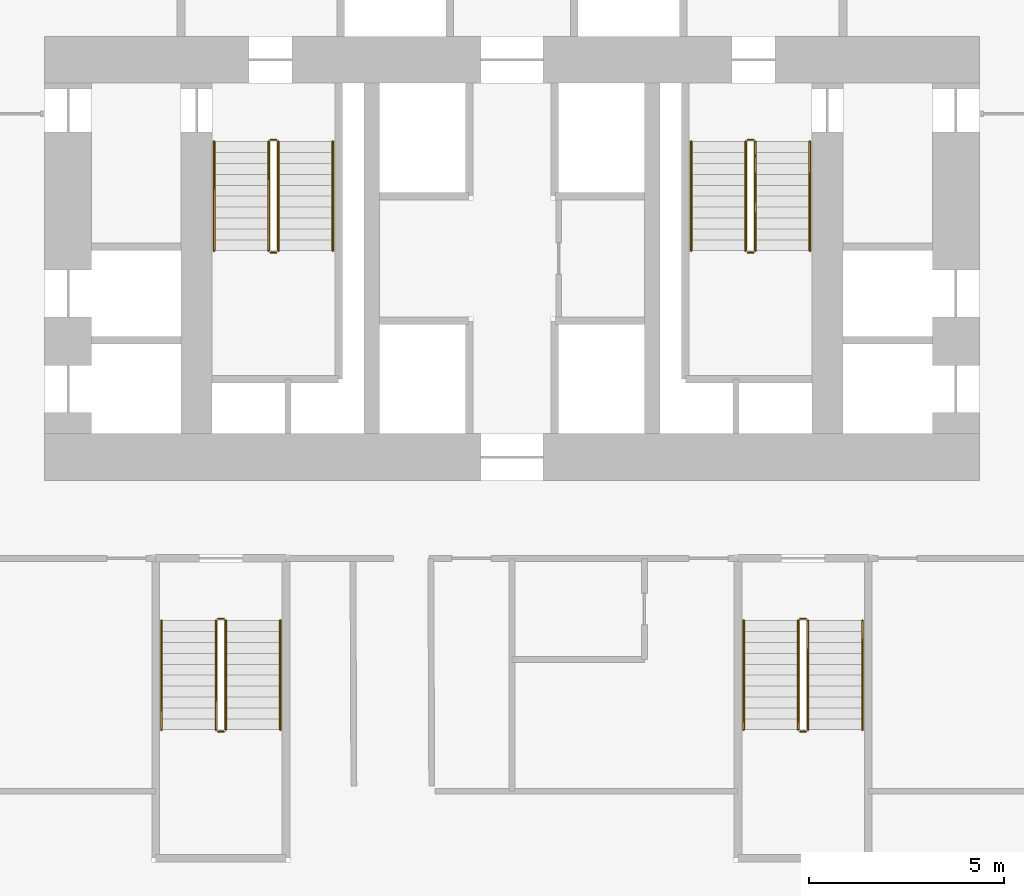
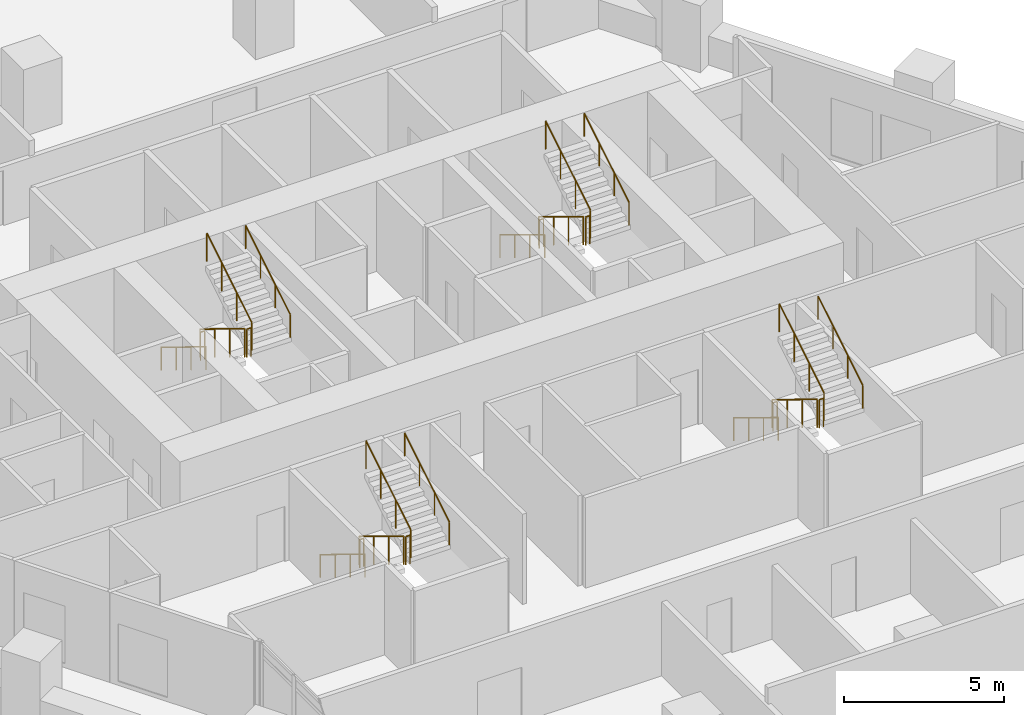
# One storey, part 38 of 38: 24 railings.
"""IFC4 building model written with IfcOpenShell, lengths in metres."""

from ifc_helpers import new_model, si_unit, direction, frame, origin, origin_2d, place, context, subcontext, project, spatial, circle, extrude, material, type_object, element, save


model = new_model("IFC4")

# Units and contexts
model_context = context("Model", 3, precision=1e-05, world=origin(), true_north=direction((0.0, 1.0)))
body_context = subcontext(model_context, "Body", "Model", "MODEL_VIEW")
ifc_project = project(units=[si_unit("LENGTHUNIT", "METRE"), si_unit("AREAUNIT", "SQUARE_METRE"), si_unit("VOLUMEUNIT", "CUBIC_METRE"), si_unit("PLANEANGLEUNIT", "RADIAN"), si_unit("MASSUNIT", "GRAM", prefix="KILO")], contexts=[model_context])

# Site, building, storey
site_placement = place(None, origin())
site = spatial("IfcSite", under=ifc_project, at=site_placement, CompositionType="ELEMENT")
building_placement = place(site_placement, origin())
building = spatial("IfcBuilding", under=site, at=building_placement, Name="Ostrander Bayou Hotel Tower", CompositionType="ELEMENT")
storey_placement = place(building_placement, frame((0.0, 0.0, 65.5)))
storey = spatial("IfcBuildingStorey", under=building, at=storey_placement, Name="L16", CompositionType="ELEMENT", Elevation=65.5)

# Railings
ifc_material_1 = material(Name="Steel ASTM A500 Gr C", Category="steel")
railing_type_1 = type_object("IfcRailingType", Name="GR1 stair guard 1100 mm steel", PredefinedType="GUARDRAIL", material=ifc_material_1)
railing_1_placement = place(storey_placement, frame((-6.25, 7.0, 0.17041015625)))
element("IfcRailing", 1, at=railing_1_placement, inside=storey, type_object=railing_type_1, Name="L16 STA stair guard 1", PredefinedType="GUARDRAIL", context=body_context, shape_type="SweptSolid", body=[
    extrude(circle(Radius=0.02392578125, at=origin_2d()), frame((0.0, 0.0, 1.076171875), z_axis=(0.0, -0.854169791009, 0.51999420009), x_axis=(1.0, 0.0, 0.0)), (0.0, 0.0, 1.0), 3.278076171875),
    extrude(circle(Radius=0.02099609375, at=origin_2d()), origin(), (0.0, 0.0, 1.0), 1.052001953125),
    extrude(circle(Radius=0.02099609375, at=origin_2d()), frame((0.0, -0.933349609375, 0.568115234375)), (0.0, 0.0, 1.0), 1.052001953125),
    extrude(circle(Radius=0.02099609375, at=origin_2d()), frame((0.0, -1.86669921875, 1.136474609375)), (0.0, 0.0, 1.0), 1.052001953125),
    extrude(circle(Radius=0.02099609375, at=origin_2d()), frame((0.0, -2.800048828125, 1.70458984375)), (0.0, 0.0, 1.0), 1.052001953125),
])
railing_2_placement = place(storey_placement, frame((-6.199951171875, 4.14990234375, 1.875)))
element("IfcRailing", 2, at=railing_2_placement, inside=storey, type_object=railing_type_1, Name="L16 STA stair guard 2", PredefinedType="GUARDRAIL", context=body_context, shape_type="SweptSolid", body=[
    extrude(circle(Radius=0.02392578125, at=origin_2d()), frame((0.0, 0.0, 1.076171875), z_axis=(1.0, 0.0, 0.0), x_axis=(0.0, 1.0, 0.0)), (0.0, 0.0, 1.0), 0.14990234375),
    extrude(circle(Radius=0.02099609375, at=origin_2d()), origin(), (0.0, 0.0, 1.0), 1.052001953125),
    extrude(circle(Radius=0.02099609375, at=origin_2d()), frame((0.14990234375, 0.0, 0.0)), (0.0, 0.0, 1.0), 1.052001953125),
])
railing_3_placement = place(storey_placement, frame((-6.0, 4.199951171875, 2.04541015625)))
element("IfcRailing", 3, at=railing_3_placement, inside=storey, type_object=railing_type_1, Name="L16 STA stair guard 3", PredefinedType="GUARDRAIL", context=body_context, shape_type="SweptSolid", body=[
    extrude(circle(Radius=0.02392578125, at=origin_2d()), frame((0.0, 0.0, 1.076171875), z_axis=(0.0, 0.854169791009, 0.51999420009), x_axis=(-1.0, 0.0, 0.0)), (0.0, 0.0, 1.0), 3.278076171875),
    extrude(circle(Radius=0.02099609375, at=origin_2d()), origin(), (0.0, 0.0, 1.0), 1.052001953125),
    extrude(circle(Radius=0.02099609375, at=origin_2d()), frame((0.0, 0.933349609375, 0.568115234375)), (0.0, 0.0, 1.0), 1.052001953125),
    extrude(circle(Radius=0.02099609375, at=origin_2d()), frame((0.0, 1.86669921875, 1.136474609375)), (0.0, 0.0, 1.0), 1.052001953125),
    extrude(circle(Radius=0.02099609375, at=origin_2d()), frame((0.0, 2.800048828125, 1.70458984375)), (0.0, 0.0, 1.0), 1.052001953125),
])
railing_4_placement = place(storey_placement, frame((-6.199951171875, 7.050048828125, 0.0)))
element("IfcRailing", 4, at=railing_4_placement, inside=storey, type_object=railing_type_1, Name="L16 STA stair guard 4", PredefinedType="GUARDRAIL", context=body_context, shape_type="SweptSolid", body=[
    extrude(circle(Radius=0.02392578125, at=origin_2d()), frame((0.0, 0.0, 1.076171875), z_axis=(1.0, 0.0, 0.0), x_axis=(0.0, 1.0, 0.0)), (0.0, 0.0, 1.0), 0.14990234375),
    extrude(circle(Radius=0.02099609375, at=origin_2d()), origin(), (0.0, 0.0, 1.0), 1.052001953125),
    extrude(circle(Radius=0.02099609375, at=origin_2d()), frame((0.14990234375, 0.0, 0.0)), (0.0, 0.0, 1.0), 1.052001953125),
])
railing_5_placement = place(storey_placement, frame((6.0, 7.0, 0.17041015625)))
element("IfcRailing", 5, at=railing_5_placement, inside=storey, type_object=railing_type_1, Name="L16 STB stair guard 1", PredefinedType="GUARDRAIL", context=body_context, shape_type="SweptSolid", body=[
    extrude(circle(Radius=0.02392578125, at=origin_2d()), frame((0.0, 0.0, 1.076171875), z_axis=(0.0, -0.854169791009, 0.51999420009), x_axis=(1.0, 0.0, 0.0)), (0.0, 0.0, 1.0), 3.278076171875),
    extrude(circle(Radius=0.02099609375, at=origin_2d()), origin(), (0.0, 0.0, 1.0), 1.052001953125),
    extrude(circle(Radius=0.02099609375, at=origin_2d()), frame((0.0, -0.933349609375, 0.568115234375)), (0.0, 0.0, 1.0), 1.052001953125),
    extrude(circle(Radius=0.02099609375, at=origin_2d()), frame((0.0, -1.86669921875, 1.136474609375)), (0.0, 0.0, 1.0), 1.052001953125),
    extrude(circle(Radius=0.02099609375, at=origin_2d()), frame((0.0, -2.800048828125, 1.70458984375)), (0.0, 0.0, 1.0), 1.052001953125),
])
railing_6_placement = place(storey_placement, frame((6.050048828125, 4.14990234375, 1.875)))
element("IfcRailing", 6, at=railing_6_placement, inside=storey, type_object=railing_type_1, Name="L16 STB stair guard 2", PredefinedType="GUARDRAIL", context=body_context, shape_type="SweptSolid", body=[
    extrude(circle(Radius=0.02392578125, at=origin_2d()), frame((0.0, 0.0, 1.076171875), z_axis=(1.0, 0.0, 0.0), x_axis=(0.0, 1.0, 0.0)), (0.0, 0.0, 1.0), 0.14990234375),
    extrude(circle(Radius=0.02099609375, at=origin_2d()), origin(), (0.0, 0.0, 1.0), 1.052001953125),
    extrude(circle(Radius=0.02099609375, at=origin_2d()), frame((0.14990234375, 0.0, 0.0)), (0.0, 0.0, 1.0), 1.052001953125),
])
railing_7_placement = place(storey_placement, frame((6.25, 4.199951171875, 2.04541015625)))
element("IfcRailing", 7, at=railing_7_placement, inside=storey, type_object=railing_type_1, Name="L16 STB stair guard 3", PredefinedType="GUARDRAIL", context=body_context, shape_type="SweptSolid", body=[
    extrude(circle(Radius=0.02392578125, at=origin_2d()), frame((0.0, 0.0, 1.076171875), z_axis=(0.0, 0.854169791009, 0.51999420009), x_axis=(-1.0, 0.0, 0.0)), (0.0, 0.0, 1.0), 3.278076171875),
    extrude(circle(Radius=0.02099609375, at=origin_2d()), origin(), (0.0, 0.0, 1.0), 1.052001953125),
    extrude(circle(Radius=0.02099609375, at=origin_2d()), frame((0.0, 0.933349609375, 0.568115234375)), (0.0, 0.0, 1.0), 1.052001953125),
    extrude(circle(Radius=0.02099609375, at=origin_2d()), frame((0.0, 1.86669921875, 1.136474609375)), (0.0, 0.0, 1.0), 1.052001953125),
    extrude(circle(Radius=0.02099609375, at=origin_2d()), frame((0.0, 2.800048828125, 1.70458984375)), (0.0, 0.0, 1.0), 1.052001953125),
])
railing_8_placement = place(storey_placement, frame((6.050048828125, 7.050048828125, 0.0)))
element("IfcRailing", 8, at=railing_8_placement, inside=storey, type_object=railing_type_1, Name="L16 STB stair guard 4", PredefinedType="GUARDRAIL", context=body_context, shape_type="SweptSolid", body=[
    extrude(circle(Radius=0.02392578125, at=origin_2d()), frame((0.0, 0.0, 1.076171875), z_axis=(1.0, 0.0, 0.0), x_axis=(0.0, 1.0, 0.0)), (0.0, 0.0, 1.0), 0.14990234375),
    extrude(circle(Radius=0.02099609375, at=origin_2d()), origin(), (0.0, 0.0, 1.0), 1.052001953125),
    extrude(circle(Radius=0.02099609375, at=origin_2d()), frame((0.14990234375, 0.0, 0.0)), (0.0, 0.0, 1.0), 1.052001953125),
])
railing_9_placement = place(storey_placement, frame((7.35009765625, -5.300048828125, 0.17041015625)))
element("IfcRailing", 9, at=railing_9_placement, inside=storey, type_object=railing_type_1, Name="L16 STC stair guard 1", PredefinedType="GUARDRAIL", context=body_context, shape_type="SweptSolid", body=[
    extrude(circle(Radius=0.02392578125, at=origin_2d()), frame((0.0, 0.0, 1.076171875), z_axis=(0.0, -0.854169791009, 0.51999420009), x_axis=(1.0, 0.0, 0.0)), (0.0, 0.0, 1.0), 3.278076171875),
    extrude(circle(Radius=0.02099609375, at=origin_2d()), origin(), (0.0, 0.0, 1.0), 1.052001953125),
    extrude(circle(Radius=0.02099609375, at=origin_2d()), frame((0.0, -0.933349609375, 0.568115234375)), (0.0, 0.0, 1.0), 1.052001953125),
    extrude(circle(Radius=0.02099609375, at=origin_2d()), frame((0.0, -1.86669921875, 1.136474609375)), (0.0, 0.0, 1.0), 1.052001953125),
    extrude(circle(Radius=0.02099609375, at=origin_2d()), frame((0.0, -2.800048828125, 1.70458984375)), (0.0, 0.0, 1.0), 1.052001953125),
])
railing_10_placement = place(storey_placement, frame((7.39990234375, -8.14990234375, 1.875)))
element("IfcRailing", 10, at=railing_10_placement, inside=storey, type_object=railing_type_1, Name="L16 STC stair guard 2", PredefinedType="GUARDRAIL", context=body_context, shape_type="SweptSolid", body=[
    extrude(circle(Radius=0.02392578125, at=origin_2d()), frame((0.0, 0.0, 1.076171875), z_axis=(1.0, 0.0, 0.0), x_axis=(0.0, 1.0, 0.0)), (0.0, 0.0, 1.0), 0.150146484375),
    extrude(circle(Radius=0.02099609375, at=origin_2d()), origin(), (0.0, 0.0, 1.0), 1.052001953125),
    extrude(circle(Radius=0.02099609375, at=origin_2d()), frame((0.150146484375, 0.0, 0.0)), (0.0, 0.0, 1.0), 1.052001953125),
])
railing_11_placement = place(storey_placement, frame((7.60009765625, -8.10009765625, 2.04541015625)))
element("IfcRailing", 11, at=railing_11_placement, inside=storey, type_object=railing_type_1, Name="L16 STC stair guard 3", PredefinedType="GUARDRAIL", context=body_context, shape_type="SweptSolid", body=[
    extrude(circle(Radius=0.02392578125, at=origin_2d()), frame((0.0, 0.0, 1.076171875), z_axis=(0.0, 0.854169791009, 0.51999420009), x_axis=(-1.0, 0.0, 0.0)), (0.0, 0.0, 1.0), 3.278076171875),
    extrude(circle(Radius=0.02099609375, at=origin_2d()), origin(), (0.0, 0.0, 1.0), 1.052001953125),
    extrude(circle(Radius=0.02099609375, at=origin_2d()), frame((0.0, 0.933349609375, 0.568115234375)), (0.0, 0.0, 1.0), 1.052001953125),
    extrude(circle(Radius=0.02099609375, at=origin_2d()), frame((0.0, 1.86669921875, 1.136474609375)), (0.0, 0.0, 1.0), 1.052001953125),
    extrude(circle(Radius=0.02099609375, at=origin_2d()), frame((0.0, 2.800048828125, 1.70458984375)), (0.0, 0.0, 1.0), 1.052001953125),
])
railing_12_placement = place(storey_placement, frame((7.39990234375, -5.25, 0.0)))
element("IfcRailing", 12, at=railing_12_placement, inside=storey, type_object=railing_type_1, Name="L16 STC stair guard 4", PredefinedType="GUARDRAIL", context=body_context, shape_type="SweptSolid", body=[
    extrude(circle(Radius=0.02392578125, at=origin_2d()), frame((0.0, 0.0, 1.076171875), z_axis=(1.0, 0.0, 0.0), x_axis=(0.0, 1.0, 0.0)), (0.0, 0.0, 1.0), 0.150146484375),
    extrude(circle(Radius=0.02099609375, at=origin_2d()), origin(), (0.0, 0.0, 1.0), 1.052001953125),
    extrude(circle(Radius=0.02099609375, at=origin_2d()), frame((0.150146484375, 0.0, 0.0)), (0.0, 0.0, 1.0), 1.052001953125),
])
railing_13_placement = place(storey_placement, frame((-7.60009765625, -5.300048828125, 0.17041015625)))
element("IfcRailing", 13, at=railing_13_placement, inside=storey, type_object=railing_type_1, Name="L16 STD stair guard 1", PredefinedType="GUARDRAIL", context=body_context, shape_type="SweptSolid", body=[
    extrude(circle(Radius=0.02392578125, at=origin_2d()), frame((0.0, 0.0, 1.076171875), z_axis=(0.0, -0.854169791009, 0.51999420009), x_axis=(1.0, 0.0, 0.0)), (0.0, 0.0, 1.0), 3.278076171875),
    extrude(circle(Radius=0.02099609375, at=origin_2d()), origin(), (0.0, 0.0, 1.0), 1.052001953125),
    extrude(circle(Radius=0.02099609375, at=origin_2d()), frame((0.0, -0.933349609375, 0.568115234375)), (0.0, 0.0, 1.0), 1.052001953125),
    extrude(circle(Radius=0.02099609375, at=origin_2d()), frame((0.0, -1.86669921875, 1.136474609375)), (0.0, 0.0, 1.0), 1.052001953125),
    extrude(circle(Radius=0.02099609375, at=origin_2d()), frame((0.0, -2.800048828125, 1.70458984375)), (0.0, 0.0, 1.0), 1.052001953125),
])
railing_14_placement = place(storey_placement, frame((-7.550048828125, -8.14990234375, 1.875)))
element("IfcRailing", 14, at=railing_14_placement, inside=storey, type_object=railing_type_1, Name="L16 STD stair guard 2", PredefinedType="GUARDRAIL", context=body_context, shape_type="SweptSolid", body=[
    extrude(circle(Radius=0.02392578125, at=origin_2d()), frame((0.0, 0.0, 1.076171875), z_axis=(1.0, 0.0, 0.0), x_axis=(0.0, 1.0, 0.0)), (0.0, 0.0, 1.0), 0.150146484375),
    extrude(circle(Radius=0.02099609375, at=origin_2d()), origin(), (0.0, 0.0, 1.0), 1.052001953125),
    extrude(circle(Radius=0.02099609375, at=origin_2d()), frame((0.150146484375, 0.0, 0.0)), (0.0, 0.0, 1.0), 1.052001953125),
])
railing_15_placement = place(storey_placement, frame((-7.35009765625, -8.10009765625, 2.04541015625)))
element("IfcRailing", 15, at=railing_15_placement, inside=storey, type_object=railing_type_1, Name="L16 STD stair guard 3", PredefinedType="GUARDRAIL", context=body_context, shape_type="SweptSolid", body=[
    extrude(circle(Radius=0.02392578125, at=origin_2d()), frame((0.0, 0.0, 1.076171875), z_axis=(0.0, 0.854169791009, 0.51999420009), x_axis=(-1.0, 0.0, 0.0)), (0.0, 0.0, 1.0), 3.278076171875),
    extrude(circle(Radius=0.02099609375, at=origin_2d()), origin(), (0.0, 0.0, 1.0), 1.052001953125),
    extrude(circle(Radius=0.02099609375, at=origin_2d()), frame((0.0, 0.933349609375, 0.568115234375)), (0.0, 0.0, 1.0), 1.052001953125),
    extrude(circle(Radius=0.02099609375, at=origin_2d()), frame((0.0, 1.86669921875, 1.136474609375)), (0.0, 0.0, 1.0), 1.052001953125),
    extrude(circle(Radius=0.02099609375, at=origin_2d()), frame((0.0, 2.800048828125, 1.70458984375)), (0.0, 0.0, 1.0), 1.052001953125),
])
railing_16_placement = place(storey_placement, frame((-7.550048828125, -5.25, 0.0)))
element("IfcRailing", 16, at=railing_16_placement, inside=storey, type_object=railing_type_1, Name="L16 STD stair guard 4", PredefinedType="GUARDRAIL", context=body_context, shape_type="SweptSolid", body=[
    extrude(circle(Radius=0.02392578125, at=origin_2d()), frame((0.0, 0.0, 1.076171875), z_axis=(1.0, 0.0, 0.0), x_axis=(0.0, 1.0, 0.0)), (0.0, 0.0, 1.0), 0.150146484375),
    extrude(circle(Radius=0.02099609375, at=origin_2d()), origin(), (0.0, 0.0, 1.0), 1.052001953125),
    extrude(circle(Radius=0.02099609375, at=origin_2d()), frame((0.150146484375, 0.0, 0.0)), (0.0, 0.0, 1.0), 1.052001953125),
])
ifc_material_2 = material(Name="Steel ASTM A500 Gr C", Category="steel")
railing_type_2 = type_object("IfcRailingType", Name="HR1 stair handrail 900 mm steel", PredefinedType="HANDRAIL", material=ifc_material_2)
railing_17_placement = place(storey_placement, frame((-7.64990234375, 7.0, 0.17041015625)))
element("IfcRailing", 17, at=railing_17_placement, inside=storey, type_object=railing_type_2, Name="L16 STA stair handrail 1", PredefinedType="HANDRAIL", context=body_context, shape_type="SweptSolid", body=[
    extrude(circle(Radius=0.02392578125, at=origin_2d()), frame((0.0, 0.0, 0.8759765625), z_axis=(0.0, -0.854169791009, 0.51999420009), x_axis=(1.0, 0.0, 0.0)), (0.0, 0.0, 1.0), 3.278076171875),
    extrude(circle(Radius=0.02099609375, at=origin_2d()), origin(), (0.0, 0.0, 1.0), 0.851806640625),
    extrude(circle(Radius=0.02099609375, at=origin_2d()), frame((0.0, -0.933349609375, 0.568115234375)), (0.0, 0.0, 1.0), 0.851806640625),
    extrude(circle(Radius=0.02099609375, at=origin_2d()), frame((0.0, -1.86669921875, 1.136474609375)), (0.0, 0.0, 1.0), 0.851806640625),
    extrude(circle(Radius=0.02099609375, at=origin_2d()), frame((0.0, -2.800048828125, 1.70458984375)), (0.0, 0.0, 1.0), 0.851806640625),
])
railing_18_placement = place(storey_placement, frame((-4.60009765625, 4.199951171875, 2.04541015625)))
element("IfcRailing", 18, at=railing_18_placement, inside=storey, type_object=railing_type_2, Name="L16 STA stair handrail 2", PredefinedType="HANDRAIL", context=body_context, shape_type="SweptSolid", body=[
    extrude(circle(Radius=0.02392578125, at=origin_2d()), frame((0.0, 0.0, 0.8759765625), z_axis=(0.0, 0.854169791009, 0.51999420009), x_axis=(-1.0, 0.0, 0.0)), (0.0, 0.0, 1.0), 3.278076171875),
    extrude(circle(Radius=0.02099609375, at=origin_2d()), origin(), (0.0, 0.0, 1.0), 0.851806640625),
    extrude(circle(Radius=0.02099609375, at=origin_2d()), frame((0.0, 0.933349609375, 0.568115234375)), (0.0, 0.0, 1.0), 0.851806640625),
    extrude(circle(Radius=0.02099609375, at=origin_2d()), frame((0.0, 1.86669921875, 1.136474609375)), (0.0, 0.0, 1.0), 0.851806640625),
    extrude(circle(Radius=0.02099609375, at=origin_2d()), frame((0.0, 2.800048828125, 1.70458984375)), (0.0, 0.0, 1.0), 0.851806640625),
])
railing_19_placement = place(storey_placement, frame((4.60009765625, 7.0, 0.17041015625)))
element("IfcRailing", 19, at=railing_19_placement, inside=storey, type_object=railing_type_2, Name="L16 STB stair handrail 1", PredefinedType="HANDRAIL", context=body_context, shape_type="SweptSolid", body=[
    extrude(circle(Radius=0.02392578125, at=origin_2d()), frame((0.0, 0.0, 0.8759765625), z_axis=(0.0, -0.854169791009, 0.51999420009), x_axis=(1.0, 0.0, 0.0)), (0.0, 0.0, 1.0), 3.278076171875),
    extrude(circle(Radius=0.02099609375, at=origin_2d()), origin(), (0.0, 0.0, 1.0), 0.851806640625),
    extrude(circle(Radius=0.02099609375, at=origin_2d()), frame((0.0, -0.933349609375, 0.568115234375)), (0.0, 0.0, 1.0), 0.851806640625),
    extrude(circle(Radius=0.02099609375, at=origin_2d()), frame((0.0, -1.86669921875, 1.136474609375)), (0.0, 0.0, 1.0), 0.851806640625),
    extrude(circle(Radius=0.02099609375, at=origin_2d()), frame((0.0, -2.800048828125, 1.70458984375)), (0.0, 0.0, 1.0), 0.851806640625),
])
railing_20_placement = place(storey_placement, frame((7.64990234375, 4.199951171875, 2.04541015625)))
element("IfcRailing", 20, at=railing_20_placement, inside=storey, type_object=railing_type_2, Name="L16 STB stair handrail 2", PredefinedType="HANDRAIL", context=body_context, shape_type="SweptSolid", body=[
    extrude(circle(Radius=0.02392578125, at=origin_2d()), frame((0.0, 0.0, 0.8759765625), z_axis=(0.0, 0.854169791009, 0.51999420009), x_axis=(-1.0, 0.0, 0.0)), (0.0, 0.0, 1.0), 3.278076171875),
    extrude(circle(Radius=0.02099609375, at=origin_2d()), origin(), (0.0, 0.0, 1.0), 0.851806640625),
    extrude(circle(Radius=0.02099609375, at=origin_2d()), frame((0.0, 0.933349609375, 0.568115234375)), (0.0, 0.0, 1.0), 0.851806640625),
    extrude(circle(Radius=0.02099609375, at=origin_2d()), frame((0.0, 1.86669921875, 1.136474609375)), (0.0, 0.0, 1.0), 0.851806640625),
    extrude(circle(Radius=0.02099609375, at=origin_2d()), frame((0.0, 2.800048828125, 1.70458984375)), (0.0, 0.0, 1.0), 0.851806640625),
])
railing_21_placement = place(storey_placement, frame((5.949951171875, -5.300048828125, 0.17041015625)))
element("IfcRailing", 21, at=railing_21_placement, inside=storey, type_object=railing_type_2, Name="L16 STC stair handrail 1", PredefinedType="HANDRAIL", context=body_context, shape_type="SweptSolid", body=[
    extrude(circle(Radius=0.02392578125, at=origin_2d()), frame((0.0, 0.0, 0.8759765625), z_axis=(0.0, -0.854169791009, 0.51999420009), x_axis=(1.0, 0.0, 0.0)), (0.0, 0.0, 1.0), 3.278076171875),
    extrude(circle(Radius=0.02099609375, at=origin_2d()), origin(), (0.0, 0.0, 1.0), 0.851806640625),
    extrude(circle(Radius=0.02099609375, at=origin_2d()), frame((0.0, -0.933349609375, 0.568115234375)), (0.0, 0.0, 1.0), 0.851806640625),
    extrude(circle(Radius=0.02099609375, at=origin_2d()), frame((0.0, -1.86669921875, 1.136474609375)), (0.0, 0.0, 1.0), 0.851806640625),
    extrude(circle(Radius=0.02099609375, at=origin_2d()), frame((0.0, -2.800048828125, 1.70458984375)), (0.0, 0.0, 1.0), 0.851806640625),
])
railing_22_placement = place(storey_placement, frame((9.0, -8.10009765625, 2.04541015625)))
element("IfcRailing", 22, at=railing_22_placement, inside=storey, type_object=railing_type_2, Name="L16 STC stair handrail 2", PredefinedType="HANDRAIL", context=body_context, shape_type="SweptSolid", body=[
    extrude(circle(Radius=0.02392578125, at=origin_2d()), frame((0.0, 0.0, 0.8759765625), z_axis=(0.0, 0.854169791009, 0.51999420009), x_axis=(-1.0, 0.0, 0.0)), (0.0, 0.0, 1.0), 3.278076171875),
    extrude(circle(Radius=0.02099609375, at=origin_2d()), origin(), (0.0, 0.0, 1.0), 0.851806640625),
    extrude(circle(Radius=0.02099609375, at=origin_2d()), frame((0.0, 0.933349609375, 0.568115234375)), (0.0, 0.0, 1.0), 0.851806640625),
    extrude(circle(Radius=0.02099609375, at=origin_2d()), frame((0.0, 1.86669921875, 1.136474609375)), (0.0, 0.0, 1.0), 0.851806640625),
    extrude(circle(Radius=0.02099609375, at=origin_2d()), frame((0.0, 2.800048828125, 1.70458984375)), (0.0, 0.0, 1.0), 0.851806640625),
])
railing_23_placement = place(storey_placement, frame((-9.0, -5.300048828125, 0.17041015625)))
element("IfcRailing", 23, at=railing_23_placement, inside=storey, type_object=railing_type_2, Name="L16 STD stair handrail 1", PredefinedType="HANDRAIL", context=body_context, shape_type="SweptSolid", body=[
    extrude(circle(Radius=0.02392578125, at=origin_2d()), frame((0.0, 0.0, 0.8759765625), z_axis=(0.0, -0.854169791009, 0.51999420009), x_axis=(1.0, 0.0, 0.0)), (0.0, 0.0, 1.0), 3.278076171875),
    extrude(circle(Radius=0.02099609375, at=origin_2d()), origin(), (0.0, 0.0, 1.0), 0.851806640625),
    extrude(circle(Radius=0.02099609375, at=origin_2d()), frame((0.0, -0.933349609375, 0.568115234375)), (0.0, 0.0, 1.0), 0.851806640625),
    extrude(circle(Radius=0.02099609375, at=origin_2d()), frame((0.0, -1.86669921875, 1.136474609375)), (0.0, 0.0, 1.0), 0.851806640625),
    extrude(circle(Radius=0.02099609375, at=origin_2d()), frame((0.0, -2.800048828125, 1.70458984375)), (0.0, 0.0, 1.0), 0.851806640625),
])
railing_24_placement = place(storey_placement, frame((-5.949951171875, -8.10009765625, 2.04541015625)))
element("IfcRailing", 24, at=railing_24_placement, inside=storey, type_object=railing_type_2, Name="L16 STD stair handrail 2", PredefinedType="HANDRAIL", context=body_context, shape_type="SweptSolid", body=[
    extrude(circle(Radius=0.02392578125, at=origin_2d()), frame((0.0, 0.0, 0.8759765625), z_axis=(0.0, 0.854169791009, 0.51999420009), x_axis=(-1.0, 0.0, 0.0)), (0.0, 0.0, 1.0), 3.278076171875),
    extrude(circle(Radius=0.02099609375, at=origin_2d()), origin(), (0.0, 0.0, 1.0), 0.851806640625),
    extrude(circle(Radius=0.02099609375, at=origin_2d()), frame((0.0, 0.933349609375, 0.568115234375)), (0.0, 0.0, 1.0), 0.851806640625),
    extrude(circle(Radius=0.02099609375, at=origin_2d()), frame((0.0, 1.86669921875, 1.136474609375)), (0.0, 0.0, 1.0), 0.851806640625),
    extrude(circle(Radius=0.02099609375, at=origin_2d()), frame((0.0, 2.800048828125, 1.70458984375)), (0.0, 0.0, 1.0), 0.851806640625),
])

save(model, "model.ifc")
